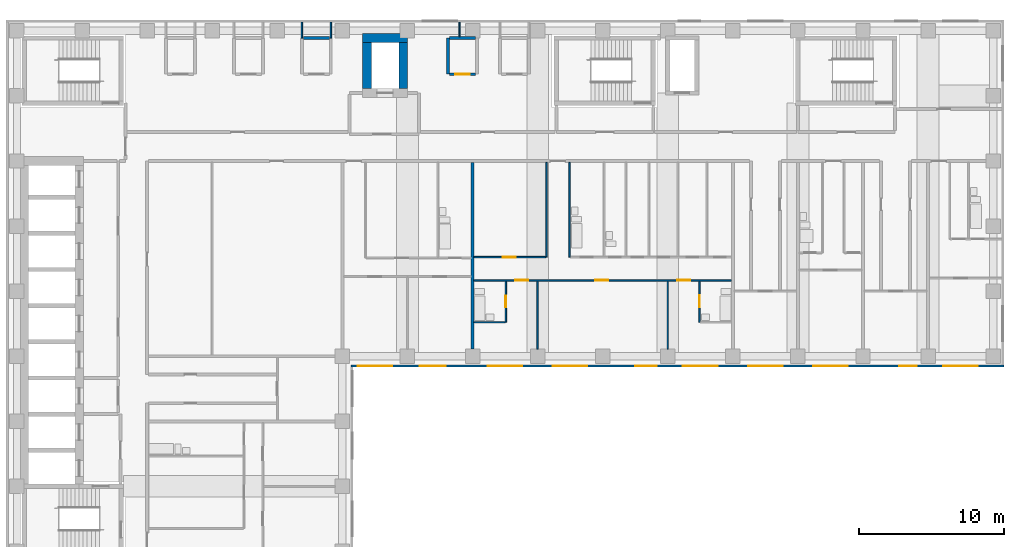
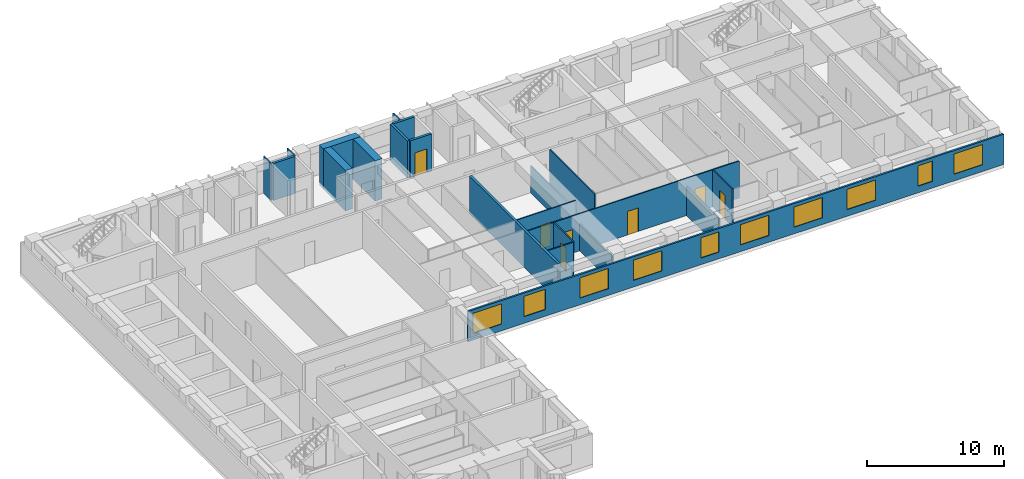
# One storey, part 6 of 12: 21 walls, 10 windows, 7 doors, 17 openings.
"""IFC4 building model written with IfcOpenShell, lengths in metres."""

from ifc_helpers import new_model, si_unit, direction, frame, frame_2d, origin, place, context, subcontext, project, spatial, rectangle, extrude, material, layer, layer_set, type_object, element, fill, save


model = new_model("IFC4")

# Units and contexts
model_context = context("Model", 3, precision=1e-05, world=origin(), true_north=direction((0.0, 1.0)))
body_context = subcontext(model_context, "Body", "Model", "MODEL_VIEW")
ifc_project = project(units=[si_unit("LENGTHUNIT", "METRE"), si_unit("AREAUNIT", "SQUARE_METRE"), si_unit("VOLUMEUNIT", "CUBIC_METRE"), si_unit("PLANEANGLEUNIT", "RADIAN"), si_unit("MASSUNIT", "GRAM", prefix="KILO")], contexts=[model_context])

# Site, building, storey
site_placement = place(None, origin())
site = spatial("IfcSite", under=ifc_project, at=site_placement, CompositionType="ELEMENT")
building_placement = place(site_placement, origin())
building = spatial("IfcBuilding", under=site, at=building_placement, Name="Firuza Court", CompositionType="ELEMENT")
storey_placement = place(building_placement, frame((0.0, 0.0, 126.800048828125)))
storey = spatial("IfcBuildingStorey", under=building, at=storey_placement, Name="L31", CompositionType="ELEMENT", Elevation=126.800048828125)

# Wall
ifc_material_1 = material(Name="Moisture-resistant gypsum board partition")
ifc_layer_1 = layer(ifc_material_1, 0.10009765625)
ifc_layer_set_1 = layer_set([ifc_layer_1], Name="Moisture-resistant gypsum board partition")
wall_type_1 = type_object("IfcWallType", Name="Bathroom partition 100", PredefinedType="PLUMBINGWALL", material=ifc_layer_set_1)
wall_1_placement = place(storey_placement, frame((31.60009765625, 38.35009765625, 0.0), z_axis=(0.0, 0.0, 1.0), x_axis=(1.0, 0.0, 0.0)))
element("IfcWall", 1, at=wall_1_placement, inside=storey, type_object=wall_type_1, Name="Bathroom partition 100 L31", PredefinedType="PLUMBINGWALL", context=body_context, shape_type="SweptSolid", body=[
    extrude(rectangle(XDim=2.14990234375, YDim=0.10009765625, at=frame_2d((1.074951171875, 0.0))), origin(), (0.0, 0.0, 1.0), 3.300048828125),
])

# Wall, opening, door
wall_2_placement = place(storey_placement, frame((33.800048828125, 38.35009765625, 0.0), z_axis=(0.0, 0.0, 1.0), x_axis=(0.0, 1.0, 0.0)))
wall_2 = element("IfcWall", 2, at=wall_2_placement, inside=storey, type_object=wall_type_1, Name="Bathroom partition 100 L31", PredefinedType="PLUMBINGWALL", context=body_context, shape_type="SweptSolid", body=[
    extrude(rectangle(XDim=2.849853515625, YDim=0.10009765625, at=frame_2d((1.4248046875, 0.0))), origin(), (0.0, 0.0, 1.0), 3.300048828125),
])
opening_1_placement = place(wall_2_placement, frame((1.050048828125, 0.0, 0.0)))
opening_1 = element("IfcOpeningElement", 3, at=opening_1_placement, cuts=wall_2, Name="Opening D31038", PredefinedType="OPENING", context=body_context, shape_type="SweptSolid", body=[
    extrude(rectangle(XDim=0.800048828125, YDim=2.10009765625, at=frame_2d((0.39990234375, 1.050048828125))), frame((0.0, 0.06201171875, 0.0), z_axis=(0.0, -1.0, 0.0), x_axis=(1.0, 0.0, 0.0)), (0.0, 0.0, 1.0), 0.1240234375),
])
ifc_material_2 = material(Name="Timber door leaf in hardwood frame", Category="wood")
door_type_1 = type_object("IfcDoorType", Name="Bathroom door 800", OperationType="SINGLE_SWING_LEFT", PredefinedType="DOOR", material=ifc_material_2)
door_1_placement = place(opening_1_placement, origin())
door_1 = element("IfcDoor", 4, at=door_1_placement, inside=storey, type_object=door_type_1, Name="En-suite door", OperationType="SINGLE_SWING_LEFT", OverallHeight=2.10009765625, OverallWidth=0.800048828125, PredefinedType="DOOR", context=body_context, shape_type="SweptSolid", body=[
    extrude(rectangle(XDim=0.800048828125, YDim=2.10009765625, at=frame_2d((0.39990234375, 1.050048828125))), frame((0.0, 0.02490234375, 0.0), z_axis=(0.0, -1.0, 0.0), x_axis=(1.0, 0.0, 0.0)), (0.0, 0.0, 1.0), 0.050048828125),
])
fill(opening_1, door_1)

wall_3_placement = place(storey_placement, frame((47.199951171875, 38.35009765625, 0.0), z_axis=(0.0, 0.0, 1.0), x_axis=(0.0, 1.0, 0.0)))
wall_3 = element("IfcWall", 5, at=wall_3_placement, inside=storey, type_object=wall_type_1, Name="Bathroom partition 100 L31", PredefinedType="PLUMBINGWALL", context=body_context, shape_type="SweptSolid", body=[
    extrude(rectangle(XDim=2.849853515625, YDim=0.10009765625, at=frame_2d((1.4248046875, 0.0))), origin(), (0.0, 0.0, 1.0), 3.300048828125),
])
opening_2_placement = place(wall_3_placement, frame((1.050048828125, 0.0, 0.0)))
opening_2 = element("IfcOpeningElement", 6, at=opening_2_placement, cuts=wall_3, Name="Opening D31039", PredefinedType="OPENING", context=body_context, shape_type="SweptSolid", body=[
    extrude(rectangle(XDim=0.800048828125, YDim=2.10009765625, at=frame_2d((0.39990234375, 1.050048828125))), frame((0.0, 0.06201171875, 0.0), z_axis=(0.0, -1.0, 0.0), x_axis=(1.0, 0.0, 0.0)), (0.0, 0.0, 1.0), 0.1240234375),
])
door_2_placement = place(opening_2_placement, frame((0.800048828125, 0.0, 0.0), z_axis=(0.0, 0.0, 1.0), x_axis=(-1.0, 0.0, 0.0)))
door_2 = element("IfcDoor", 7, at=door_2_placement, inside=storey, type_object=door_type_1, Name="En-suite door", OperationType="SINGLE_SWING_RIGHT", OverallHeight=2.10009765625, OverallWidth=0.800048828125, PredefinedType="DOOR", context=body_context, shape_type="SweptSolid", body=[
    extrude(rectangle(XDim=0.800048828125, YDim=2.10009765625, at=frame_2d((0.39990234375, 1.050048828125))), frame((0.0, 0.02490234375, 0.0), z_axis=(0.0, -1.0, 0.0), x_axis=(1.0, 0.0, 0.0)), (0.0, 0.0, 1.0), 0.050048828125),
])
fill(opening_2, door_2)

# Walls
wall_4_placement = place(storey_placement, frame((38.199951171875, 42.85009765625, 0.0), z_axis=(0.0, 0.0, 1.0), x_axis=(0.0, 1.0, 0.0)))
element("IfcWall", 8, at=wall_4_placement, inside=storey, type_object=wall_type_1, Name="Bathroom partition 100 L31", PredefinedType="PLUMBINGWALL", context=body_context, shape_type="SweptSolid", body=[
    extrude(rectangle(XDim=6.5498046875, YDim=0.10009765625, at=frame_2d((3.27490234375, 0.0))), origin(), (0.0, 0.0, 1.0), 3.300048828125),
])
ifc_material_3 = material(Name="Concrete C60/75", Category="concrete")
ifc_layer_2 = layer(ifc_material_3, 0.60009765625)
ifc_layer_set_2 = layer_set([ifc_layer_2], Name="Concrete C60/75")
wall_type_2 = type_object("IfcWallType", Name="Core wall 600 C60/75", PredefinedType="SHEAR", material=ifc_layer_set_2)
wall_5_placement = place(storey_placement, frame((23.89990234375, 58.0, -0.300048828125), z_axis=(0.0, 0.0, 1.0), x_axis=(1.0, 0.0, 0.0)))
element("IfcWall", 9, at=wall_5_placement, inside=storey, type_object=wall_type_2, Name="Core wall lift shaft L31", PredefinedType="SHEAR", context=body_context, shape_type="SweptSolid", body=[
    extrude(rectangle(XDim=3.10009765625, YDim=0.60009765625, at=frame_2d((1.550048828125, 0.0))), origin(), (0.0, 0.0, 1.0), 3.60009765625),
])
for number, where, z_axis, x_axis, name in (
    (10, (24.199951171875, 54.5, -0.300048828125), (0.0, 0.0, 1.0), (0.0, 1.0, 0.0), "Core wall lift shaft L31"),
    (11, (26.699951171875, 54.5, -0.300048828125), (0.0, 0.0, 1.0), (0.0, 1.0, 0.0), "Core wall lift shaft L31"),
):
    element("IfcWall", number, at=place(storey_placement, frame(where, z_axis=z_axis, x_axis=x_axis)), inside=storey, type_object=wall_type_2, Name=name, PredefinedType="SHEAR", context=body_context, shape_type="SweptSolid", body=[
        extrude(rectangle(XDim=3.199951171875, YDim=0.60009765625, at=frame_2d((1.60009765625, 0.0))), origin(), (0.0, 0.0, 1.0), 3.60009765625),
    ])
ifc_material_4 = material(Name="Timber stud partition, plasterboard both sides", Category="wood")
ifc_layer_3 = layer(ifc_material_4, 0.10009765625)
ifc_layer_set_3 = layer_set([ifc_layer_3], Name="Timber stud partition, plasterboard both sides")
wall_type_3 = type_object("IfcWallType", Name="Partition wall 100", PredefinedType="PARTITIONING", material=ifc_layer_set_3)
wall_6_placement = place(storey_placement, frame((36.0, 36.5, 0.0), z_axis=(0.0, 0.0, 1.0), x_axis=(0.0, 1.0, 0.0)))
element("IfcWall", 12, at=wall_6_placement, inside=storey, type_object=wall_type_3, Name="Partition wall 100 L31", PredefinedType="PARTITIONING", context=body_context, shape_type="SweptSolid", body=[
    extrude(rectangle(XDim=4.699951171875, YDim=0.10009765625, at=frame_2d((2.35009765625, 0.0))), origin(), (0.0, 0.0, 1.0), 2.39990234375),
])
wall_7_placement = place(storey_placement, frame((45.0, 36.5, 0.0), z_axis=(0.0, 0.0, 1.0), x_axis=(0.0, 1.0, 0.0)))
element("IfcWall", 13, at=wall_7_placement, inside=storey, type_object=wall_type_3, Name="Partition wall 100 L31", PredefinedType="PARTITIONING", context=body_context, shape_type="SweptSolid", body=[
    extrude(rectangle(XDim=4.699951171875, YDim=0.10009765625, at=frame_2d((2.35009765625, 0.0))), origin(), (0.0, 0.0, 1.0), 2.599853515625),
])

# Wall, openings, doors
wall_8_placement = place(storey_placement, frame((31.60009765625, 41.25, 0.0), z_axis=(0.0, 0.0, 1.0), x_axis=(1.0, 0.0, 0.0)))
wall_8 = element("IfcWall", 14, at=wall_8_placement, inside=storey, type_object=wall_type_3, Name="Partition wall 100 L31", PredefinedType="PARTITIONING", context=body_context, shape_type="SweptSolid", body=[
    extrude(rectangle(XDim=17.7998046875, YDim=0.10009765625, at=frame_2d((8.89990234375, 0.0))), origin(), (0.0, 0.0, 1.0), 3.300048828125),
])
opening_3_placement = place(wall_8_placement, frame((2.85009765625, 0.0, 0.0)))
opening_3 = element("IfcOpeningElement", 15, at=opening_3_placement, cuts=wall_8, Name="Opening D31046", PredefinedType="OPENING", context=body_context, shape_type="SweptSolid", body=[
    extrude(rectangle(XDim=0.89990234375, YDim=2.10009765625, at=frame_2d((0.449951171875, 1.050048828125))), frame((0.0, 0.06201171875, 0.0), z_axis=(0.0, -1.0, 0.0), x_axis=(1.0, 0.0, 0.0)), (0.0, 0.0, 1.0), 0.1240234375),
])
opening_4_placement = place(wall_8_placement, frame((8.39990234375, 0.0, 0.0)))
opening_4 = element("IfcOpeningElement", 16, at=opening_4_placement, cuts=wall_8, Name="Opening D31047", PredefinedType="OPENING", context=body_context, shape_type="SweptSolid", body=[
    extrude(rectangle(XDim=0.89990234375, YDim=2.10009765625, at=frame_2d((0.449951171875, 1.050048828125))), frame((0.0, 0.06201171875, 0.0), z_axis=(0.0, -1.0, 0.0), x_axis=(1.0, 0.0, 0.0)), (0.0, 0.0, 1.0), 0.1240234375),
])
opening_5_placement = place(wall_8_placement, frame((14.050048828125, 0.0, 0.0)))
opening_5 = element("IfcOpeningElement", 17, at=opening_5_placement, cuts=wall_8, Name="Opening D31048", PredefinedType="OPENING", context=body_context, shape_type="SweptSolid", body=[
    extrude(rectangle(XDim=0.89990234375, YDim=2.10009765625, at=frame_2d((0.449951171875, 1.050048828125))), frame((0.0, 0.06201171875, 0.0), z_axis=(0.0, -1.0, 0.0), x_axis=(1.0, 0.0, 0.0)), (0.0, 0.0, 1.0), 0.1240234375),
])
ifc_material_5 = material(Name="Timber door leaf in hardwood frame", Category="wood")
door_type_2 = type_object("IfcDoorType", Name="Room door 900", OperationType="SINGLE_SWING_LEFT", PredefinedType="DOOR", material=ifc_material_5)
door_3_placement = place(opening_3_placement, frame((0.89990234375, 0.0, 0.0), z_axis=(0.0, 0.0, 1.0), x_axis=(-1.0, 0.0, 0.0)))
door_3 = element("IfcDoor", 18, at=door_3_placement, inside=storey, type_object=door_type_2, Name="Bedroom door", OperationType="SINGLE_SWING_LEFT", OverallHeight=2.10009765625, OverallWidth=0.89990234375, PredefinedType="DOOR", context=body_context, shape_type="SweptSolid", body=[
    extrude(rectangle(XDim=0.89990234375, YDim=2.10009765625, at=frame_2d((0.449951171875, 1.050048828125))), frame((0.0, 0.02490234375, 0.0), z_axis=(0.0, -1.0, 0.0), x_axis=(1.0, 0.0, 0.0)), (0.0, 0.0, 1.0), 0.050048828125),
])
fill(opening_3, door_3)
door_4_placement = place(opening_4_placement, frame((0.89990234375, 0.0, 0.0), z_axis=(0.0, 0.0, 1.0), x_axis=(-1.0, 0.0, 0.0)))
door_4 = element("IfcDoor", 19, at=door_4_placement, inside=storey, type_object=door_type_2, Name="Living room door", OperationType="SINGLE_SWING_RIGHT", OverallHeight=2.10009765625, OverallWidth=0.89990234375, PredefinedType="DOOR", context=body_context, shape_type="SweptSolid", body=[
    extrude(rectangle(XDim=0.89990234375, YDim=2.10009765625, at=frame_2d((0.449951171875, 1.050048828125))), frame((0.0, 0.02490234375, 0.0), z_axis=(0.0, -1.0, 0.0), x_axis=(1.0, 0.0, 0.0)), (0.0, 0.0, 1.0), 0.050048828125),
])
fill(opening_4, door_4)
door_5_placement = place(opening_5_placement, frame((0.89990234375, 0.0, 0.0), z_axis=(0.0, 0.0, 1.0), x_axis=(-1.0, 0.0, 0.0)))
door_5 = element("IfcDoor", 20, at=door_5_placement, inside=storey, type_object=door_type_2, Name="Bedroom door", OperationType="SINGLE_SWING_RIGHT", OverallHeight=2.10009765625, OverallWidth=0.89990234375, PredefinedType="DOOR", context=body_context, shape_type="SweptSolid", body=[
    extrude(rectangle(XDim=0.89990234375, YDim=2.10009765625, at=frame_2d((0.449951171875, 1.050048828125))), frame((0.0, 0.02490234375, 0.0), z_axis=(0.0, -1.0, 0.0), x_axis=(1.0, 0.0, 0.0)), (0.0, 0.0, 1.0), 0.050048828125),
])
fill(opening_5, door_5)

# Wall, opening, door
wall_9_placement = place(storey_placement, frame((31.60009765625, 42.85009765625, 0.0), z_axis=(0.0, 0.0, 1.0), x_axis=(1.0, 0.0, 0.0)))
wall_9 = element("IfcWall", 21, at=wall_9_placement, inside=storey, type_object=wall_type_3, Name="Partition wall 100 L31", PredefinedType="PARTITIONING", context=body_context, shape_type="SweptSolid", body=[
    extrude(rectangle(XDim=4.949951171875, YDim=0.10009765625, at=frame_2d((2.47509765625, 0.0))), origin(), (0.0, 0.0, 1.0), 3.300048828125),
])
opening_6_placement = place(wall_9_placement, frame((2.0, 0.0, 0.0)))
opening_6 = element("IfcOpeningElement", 22, at=opening_6_placement, cuts=wall_9, Name="Opening D31055", PredefinedType="OPENING", context=body_context, shape_type="SweptSolid", body=[
    extrude(rectangle(XDim=0.89990234375, YDim=2.10009765625, at=frame_2d((0.449951171875, 1.050048828125))), frame((0.0, 0.06201171875, 0.0), z_axis=(0.0, -1.0, 0.0), x_axis=(1.0, 0.0, 0.0)), (0.0, 0.0, 1.0), 0.1240234375),
])
door_6_placement = place(opening_6_placement, origin())
door_6 = element("IfcDoor", 23, at=door_6_placement, inside=storey, type_object=door_type_2, Name="Kitchen door", OperationType="SINGLE_SWING_LEFT", OverallHeight=2.10009765625, OverallWidth=0.89990234375, PredefinedType="DOOR", context=body_context, shape_type="SweptSolid", body=[
    extrude(rectangle(XDim=0.89990234375, YDim=2.10009765625, at=frame_2d((0.449951171875, 1.050048828125))), frame((0.0, 0.02490234375, 0.0), z_axis=(0.0, -1.0, 0.0), x_axis=(1.0, 0.0, 0.0)), (0.0, 0.0, 1.0), 0.050048828125),
])
fill(opening_6, door_6)

# Walls
wall_10_placement = place(storey_placement, frame((36.60009765625, 42.85009765625, 0.0), z_axis=(0.0, 0.0, 1.0), x_axis=(0.0, 1.0, 0.0)))
element("IfcWall", 24, at=wall_10_placement, inside=storey, type_object=wall_type_3, Name="Partition wall 100 L31", PredefinedType="PARTITIONING", context=body_context, shape_type="SweptSolid", body=[
    extrude(rectangle(XDim=6.5498046875, YDim=0.10009765625, at=frame_2d((3.27490234375, 0.0))), origin(), (0.0, 0.0, 1.0), 2.39990234375),
])
for number, where, z_axis, x_axis, name in (
    (25, (19.699951171875, 58.0, 0.0), (0.0, 0.0, 1.0), (0.0, 1.0, 0.0), "Partition wall 100 L31"),
    (26, (21.699951171875, 58.0, 0.0), (0.0, 0.0, 1.0), (0.0, 1.0, 0.0), "Partition wall 100 L31"),
):
    element("IfcWall", number, at=place(storey_placement, frame(where, z_axis=z_axis, x_axis=x_axis)), inside=storey, type_object=wall_type_3, Name=name, PredefinedType="PARTITIONING", context=body_context, shape_type="SweptSolid", body=[
        extrude(rectangle(XDim=1.10009765625, YDim=0.10009765625, at=frame_2d((0.550048828125, 0.0))), origin(), (0.0, 0.0, 1.0), 3.300048828125),
    ])
wall_11_placement = place(storey_placement, frame((30.60009765625, 58.10009765625, 0.0), z_axis=(0.0, 0.0, 1.0), x_axis=(0.0, 1.0, 0.0)))
element("IfcWall", 27, at=wall_11_placement, inside=storey, type_object=wall_type_3, Name="Partition wall 100 L31", PredefinedType="PARTITIONING", context=body_context, shape_type="SweptSolid", body=[
    extrude(rectangle(XDim=1.0, YDim=0.10009765625, at=frame_2d((0.5, 0.0))), origin(), (0.0, 0.0, 1.0), 3.300048828125),
])
ifc_material_6 = material(Name="Blockwork, plastered both sides", Category="masonry")
ifc_layer_4 = layer(ifc_material_6, 0.199951171875)
ifc_layer_set_4 = layer_set([ifc_layer_4], Name="Blockwork, plastered both sides")
wall_type_4 = type_object("IfcWallType", Name="Party wall 200", PredefinedType="PARTITIONING", material=ifc_layer_set_4)
wall_12_placement = place(storey_placement, frame((31.5, 36.5, 0.0), z_axis=(0.0, 0.0, 1.0), x_axis=(0.0, 1.0, 0.0)))
element("IfcWall", 28, at=wall_12_placement, inside=storey, type_object=wall_type_4, Name="Party wall 200 L31", PredefinedType="PARTITIONING", context=body_context, shape_type="SweptSolid", body=[
    extrude(rectangle(XDim=12.89990234375, YDim=0.199951171875, at=frame_2d((6.449951171875, 0.0))), origin(), (0.0, 0.0, 1.0), 3.300048828125),
])
ifc_material_7 = material(Name="Blockwork, fire-rated", Category="masonry")
ifc_layer_5 = layer(ifc_material_7, 0.199951171875)
ifc_layer_set_5 = layer_set([ifc_layer_5], Name="Blockwork, fire-rated")
wall_type_5 = type_object("IfcWallType", Name="Plant room wall 200", PredefinedType="PARTITIONING", material=ifc_layer_set_5)
wall_13_placement = place(storey_placement, frame((29.800048828125, 55.5, 0.0), z_axis=(0.0, 0.0, 1.0), x_axis=(0.0, 1.0, 0.0)))
element("IfcWall", 29, at=wall_13_placement, inside=storey, type_object=wall_type_5, Name="Plant room wall 200 L31", PredefinedType="PARTITIONING", context=body_context, shape_type="SweptSolid", body=[
    extrude(rectangle(XDim=2.5, YDim=0.199951171875, at=frame_2d((1.25, 0.0))), origin(), (0.0, 0.0, 1.0), 3.300048828125),
])

# Wall, opening, door
wall_14_placement = place(storey_placement, frame((29.89990234375, 55.5, 0.0), z_axis=(0.0, 0.0, 1.0), x_axis=(1.0, 0.0, 0.0)))
wall_14 = element("IfcWall", 30, at=wall_14_placement, inside=storey, type_object=wall_type_5, Name="Plant room wall 200 L31", PredefinedType="PARTITIONING", context=body_context, shape_type="SweptSolid", body=[
    extrude(rectangle(XDim=1.800048828125, YDim=0.199951171875, at=frame_2d((0.89990234375, 0.0))), origin(), (0.0, 0.0, 1.0), 3.300048828125),
])
opening_7_placement = place(wall_14_placement, frame((0.39990234375, 0.0, 0.0)))
opening_7 = element("IfcOpeningElement", 31, at=opening_7_placement, cuts=wall_14, Name="Opening D31078", PredefinedType="OPENING", context=body_context, shape_type="SweptSolid", body=[
    extrude(rectangle(XDim=1.0, YDim=2.10009765625, at=frame_2d((0.5, 1.050048828125))), frame((0.0, 0.11181640625, 0.0), z_axis=(0.0, -1.0, 0.0), x_axis=(1.0, 0.0, 0.0)), (0.0, 0.0, 1.0), 0.223876953125),
])
ifc_material_8 = material(Name="Timber door leaf in hardwood frame", Category="wood")
door_type_3 = type_object("IfcDoorType", Name="Riser door 1000", OperationType="SINGLE_SWING_LEFT", PredefinedType="DOOR", material=ifc_material_8)
door_7_placement = place(opening_7_placement, origin())
door_7 = element("IfcDoor", 32, at=door_7_placement, inside=storey, type_object=door_type_3, Name="Electrical riser door", OperationType="SINGLE_SWING_LEFT", OverallHeight=2.10009765625, OverallWidth=1.0, PredefinedType="DOOR", context=body_context, shape_type="SweptSolid", body=[
    extrude(rectangle(XDim=1.0, YDim=2.10009765625, at=frame_2d((0.5, 1.050048828125))), frame((0.0, 0.02490234375, 0.0), z_axis=(0.0, -1.0, 0.0), x_axis=(1.0, 0.0, 0.0)), (0.0, 0.0, 1.0), 0.050048828125),
])
fill(opening_7, door_7)

# Walls
for number, where, z_axis, x_axis, name in (
    (33, (19.800048828125, 58.0, 0.0), (0.0, 0.0, 1.0), (1.0, 0.0, 0.0), "Plant room wall 200 L31"),
    (34, (29.89990234375, 58.0, 0.0), (0.0, 0.0, 1.0), (1.0, 0.0, 0.0), "Plant room wall 200 L31"),
):
    element("IfcWall", number, at=place(storey_placement, frame(where, z_axis=z_axis, x_axis=x_axis)), inside=storey, type_object=wall_type_5, Name=name, PredefinedType="PARTITIONING", context=body_context, shape_type="SweptSolid", body=[
        extrude(rectangle(XDim=1.800048828125, YDim=0.199951171875, at=frame_2d((0.89990234375, 0.0))), origin(), (0.0, 0.0, 1.0), 3.300048828125),
    ])

# Wall, openings, windows
ifc_material_9 = material(Name="Ceramic tile", Category="ceramic")
ifc_layer_6 = layer(ifc_material_9, 0.02001953125)
ifc_material_10 = material(Name="Mineral wool insulation", Category="insulation")
ifc_layer_7 = layer(ifc_material_10, 0.050048828125)
ifc_material_11 = material(Name="Concrete C40/50 precast", Category="concrete")
ifc_layer_8 = layer(ifc_material_11, 0.080078125)
ifc_layer_set_6 = layer_set([ifc_layer_6, ifc_layer_7, ifc_layer_8], Name="Concrete C40/50 precast")
wall_type_6 = type_object("IfcWallType", Name="Precast cladding wall with turquoise TILE PANEL face 150", PredefinedType="STANDARD", material=ifc_layer_set_6)
wall_15_placement = place(storey_placement, frame((23.10009765625, 35.324951171875, 0.0), z_axis=(0.0, 0.0, 1.0), x_axis=(1.0, 0.0, 0.0)))
wall_15 = element("IfcWall", 35, at=wall_15_placement, inside=storey, type_object=wall_type_6, Name="Facade wall L31 S", PredefinedType="STANDARD", context=body_context, shape_type="SweptSolid", body=[
    extrude(rectangle(XDim=45.14990234375, YDim=0.14990234375, at=frame_2d((22.574951171875, 0.0))), origin(), (0.0, 0.0, 1.0), 2.699951171875),
])
opening_8_placement = place(wall_15_placement, frame((0.449951171875, 0.0, 0.60009765625)))
opening_8 = element("IfcOpeningElement", 36, at=opening_8_placement, cuts=wall_15, Name="Opening W1", PredefinedType="OPENING", context=body_context, shape_type="SweptSolid", body=[
    extrude(rectangle(XDim=2.39990234375, YDim=1.800048828125, at=frame_2d((1.199951171875, 0.89990234375))), frame((0.0, 0.0869140625, 0.0), z_axis=(0.0, -1.0, 0.0), x_axis=(1.0, 0.0, 0.0)), (0.0, 0.0, 1.0), 0.173828125),
])
opening_9_placement = place(wall_15_placement, frame((4.743408203125, 0.0, 0.60009765625)))
opening_9 = element("IfcOpeningElement", 37, at=opening_9_placement, cuts=wall_15, Name="Opening W7", PredefinedType="OPENING", context=body_context, shape_type="SweptSolid", body=[
    extrude(rectangle(XDim=1.800048828125, YDim=1.800048828125, at=frame_2d((0.89990234375, 0.89990234375))), frame((0.0, 0.0869140625, 0.0), z_axis=(0.0, -1.0, 0.0), x_axis=(1.0, 0.0, 0.0)), (0.0, 0.0, 1.0), 0.173828125),
])
opening_10_placement = place(wall_15_placement, frame((9.449951171875, 0.0, 0.60009765625)))
opening_10 = element("IfcOpeningElement", 38, at=opening_10_placement, cuts=wall_15, Name="Opening W1", PredefinedType="OPENING", context=body_context, shape_type="SweptSolid", body=[
    extrude(rectangle(XDim=2.39990234375, YDim=1.800048828125, at=frame_2d((1.199951171875, 0.89990234375))), frame((0.0, 0.0869140625, 0.0), z_axis=(0.0, -1.0, 0.0), x_axis=(1.0, 0.0, 0.0)), (0.0, 0.0, 1.0), 0.173828125),
])
opening_11_placement = place(wall_15_placement, frame((13.949951171875, 0.0, 0.60009765625)))
opening_11 = element("IfcOpeningElement", 39, at=opening_11_placement, cuts=wall_15, Name="Opening W1", PredefinedType="OPENING", context=body_context, shape_type="SweptSolid", body=[
    extrude(rectangle(XDim=2.39990234375, YDim=1.800048828125, at=frame_2d((1.199951171875, 0.89990234375))), frame((0.0, 0.0869140625, 0.0), z_axis=(0.0, -1.0, 0.0), x_axis=(1.0, 0.0, 0.0)), (0.0, 0.0, 1.0), 0.173828125),
])
opening_12_placement = place(wall_15_placement, frame((19.646484375, 0.0, 0.60009765625)))
opening_12 = element("IfcOpeningElement", 40, at=opening_12_placement, cuts=wall_15, Name="Opening W2", PredefinedType="OPENING", context=body_context, shape_type="SweptSolid", body=[
    extrude(rectangle(XDim=1.5, YDim=1.800048828125, at=frame_2d((0.75, 0.89990234375))), frame((0.0, 0.0869140625, 0.0), z_axis=(0.0, -1.0, 0.0), x_axis=(1.0, 0.0, 0.0)), (0.0, 0.0, 1.0), 0.173828125),
])
opening_13_placement = place(wall_15_placement, frame((22.949951171875, 0.0, 0.60009765625)))
opening_13 = element("IfcOpeningElement", 41, at=opening_13_placement, cuts=wall_15, Name="Opening W1", PredefinedType="OPENING", context=body_context, shape_type="SweptSolid", body=[
    extrude(rectangle(XDim=2.39990234375, YDim=1.800048828125, at=frame_2d((1.199951171875, 0.89990234375))), frame((0.0, 0.0869140625, 0.0), z_axis=(0.0, -1.0, 0.0), x_axis=(1.0, 0.0, 0.0)), (0.0, 0.0, 1.0), 0.173828125),
])
opening_14_placement = place(wall_15_placement, frame((27.449951171875, 0.0, 0.60009765625)))
opening_14 = element("IfcOpeningElement", 42, at=opening_14_placement, cuts=wall_15, Name="Opening W1", PredefinedType="OPENING", context=body_context, shape_type="SweptSolid", body=[
    extrude(rectangle(XDim=2.39990234375, YDim=1.800048828125, at=frame_2d((1.199951171875, 0.89990234375))), frame((0.0, 0.0869140625, 0.0), z_axis=(0.0, -1.0, 0.0), x_axis=(1.0, 0.0, 0.0)), (0.0, 0.0, 1.0), 0.173828125),
])
opening_15_placement = place(wall_15_placement, frame((31.949951171875, 0.0, 0.60009765625)))
opening_15 = element("IfcOpeningElement", 43, at=opening_15_placement, cuts=wall_15, Name="Opening W1", PredefinedType="OPENING", context=body_context, shape_type="SweptSolid", body=[
    extrude(rectangle(XDim=2.39990234375, YDim=1.800048828125, at=frame_2d((1.199951171875, 0.89990234375))), frame((0.0, 0.0869140625, 0.0), z_axis=(0.0, -1.0, 0.0), x_axis=(1.0, 0.0, 0.0)), (0.0, 0.0, 1.0), 0.173828125),
])
opening_16_placement = place(wall_15_placement, frame((37.9111328125, 0.0, 0.60009765625)))
opening_16 = element("IfcOpeningElement", 44, at=opening_16_placement, cuts=wall_15, Name="Opening W8", PredefinedType="OPENING", context=body_context, shape_type="SweptSolid", body=[
    extrude(rectangle(XDim=1.199951171875, YDim=1.800048828125, at=frame_2d((0.60009765625, 0.89990234375))), frame((0.0, 0.0869140625, 0.0), z_axis=(0.0, -1.0, 0.0), x_axis=(1.0, 0.0, 0.0)), (0.0, 0.0, 1.0), 0.173828125),
])
opening_17_placement = place(wall_15_placement, frame((40.949951171875, 0.0, 0.60009765625)))
opening_17 = element("IfcOpeningElement", 45, at=opening_17_placement, cuts=wall_15, Name="Opening W1", PredefinedType="OPENING", context=body_context, shape_type="SweptSolid", body=[
    extrude(rectangle(XDim=2.39990234375, YDim=1.800048828125, at=frame_2d((1.199951171875, 0.89990234375))), frame((0.0, 0.0869140625, 0.0), z_axis=(0.0, -1.0, 0.0), x_axis=(1.0, 0.0, 0.0)), (0.0, 0.0, 1.0), 0.173828125),
])
ifc_material_12 = material(Name="Aluminium frame, triple clear glazing", Category="aluminium")
window_type_1 = type_object("IfcWindowType", Name="Window W1 2400 x 1800", PartitioningType="SINGLE_PANEL", PredefinedType="WINDOW", material=ifc_material_12)
window_1_placement = place(opening_8_placement, origin())
window_1 = element("IfcWindow", 46, at=window_1_placement, inside=storey, type_object=window_type_1, Name="Window L31", OverallHeight=1.800048828125, OverallWidth=2.39990234375, PartitioningType="SINGLE_PANEL", PredefinedType="WINDOW", context=body_context, shape_type="SweptSolid", body=[
    extrude(rectangle(XDim=2.39990234375, YDim=1.800048828125, at=frame_2d((1.199951171875, 0.89990234375))), frame((0.0, 0.030029296875, 0.0), z_axis=(0.0, -1.0, 0.0), x_axis=(1.0, 0.0, 0.0)), (0.0, 0.0, 1.0), 0.06005859375),
])
fill(opening_8, window_1)
window_2_placement = place(opening_10_placement, origin())
window_2 = element("IfcWindow", 47, at=window_2_placement, inside=storey, type_object=window_type_1, Name="Window L31", OverallHeight=1.800048828125, OverallWidth=2.39990234375, PartitioningType="SINGLE_PANEL", PredefinedType="WINDOW", context=body_context, shape_type="SweptSolid", body=[
    extrude(rectangle(XDim=2.39990234375, YDim=1.800048828125, at=frame_2d((1.199951171875, 0.89990234375))), frame((0.0, 0.030029296875, 0.0), z_axis=(0.0, -1.0, 0.0), x_axis=(1.0, 0.0, 0.0)), (0.0, 0.0, 1.0), 0.06005859375),
])
fill(opening_10, window_2)
window_3_placement = place(opening_11_placement, origin())
window_3 = element("IfcWindow", 48, at=window_3_placement, inside=storey, type_object=window_type_1, Name="Window L31", OverallHeight=1.800048828125, OverallWidth=2.39990234375, PartitioningType="SINGLE_PANEL", PredefinedType="WINDOW", context=body_context, shape_type="SweptSolid", body=[
    extrude(rectangle(XDim=2.39990234375, YDim=1.800048828125, at=frame_2d((1.199951171875, 0.89990234375))), frame((0.0, 0.030029296875, 0.0), z_axis=(0.0, -1.0, 0.0), x_axis=(1.0, 0.0, 0.0)), (0.0, 0.0, 1.0), 0.06005859375),
])
fill(opening_11, window_3)
window_4_placement = place(opening_13_placement, origin())
window_4 = element("IfcWindow", 49, at=window_4_placement, inside=storey, type_object=window_type_1, Name="Window L31", OverallHeight=1.800048828125, OverallWidth=2.39990234375, PartitioningType="SINGLE_PANEL", PredefinedType="WINDOW", context=body_context, shape_type="SweptSolid", body=[
    extrude(rectangle(XDim=2.39990234375, YDim=1.800048828125, at=frame_2d((1.199951171875, 0.89990234375))), frame((0.0, 0.030029296875, 0.0), z_axis=(0.0, -1.0, 0.0), x_axis=(1.0, 0.0, 0.0)), (0.0, 0.0, 1.0), 0.06005859375),
])
fill(opening_13, window_4)
window_5_placement = place(opening_14_placement, origin())
window_5 = element("IfcWindow", 50, at=window_5_placement, inside=storey, type_object=window_type_1, Name="Window L31", OverallHeight=1.800048828125, OverallWidth=2.39990234375, PartitioningType="SINGLE_PANEL", PredefinedType="WINDOW", context=body_context, shape_type="SweptSolid", body=[
    extrude(rectangle(XDim=2.39990234375, YDim=1.800048828125, at=frame_2d((1.199951171875, 0.89990234375))), frame((0.0, 0.030029296875, 0.0), z_axis=(0.0, -1.0, 0.0), x_axis=(1.0, 0.0, 0.0)), (0.0, 0.0, 1.0), 0.06005859375),
])
fill(opening_14, window_5)
window_6_placement = place(opening_15_placement, origin())
window_6 = element("IfcWindow", 51, at=window_6_placement, inside=storey, type_object=window_type_1, Name="Window L31", OverallHeight=1.800048828125, OverallWidth=2.39990234375, PartitioningType="SINGLE_PANEL", PredefinedType="WINDOW", context=body_context, shape_type="SweptSolid", body=[
    extrude(rectangle(XDim=2.39990234375, YDim=1.800048828125, at=frame_2d((1.199951171875, 0.89990234375))), frame((0.0, 0.030029296875, 0.0), z_axis=(0.0, -1.0, 0.0), x_axis=(1.0, 0.0, 0.0)), (0.0, 0.0, 1.0), 0.06005859375),
])
fill(opening_15, window_6)
window_7_placement = place(opening_17_placement, origin())
window_7 = element("IfcWindow", 52, at=window_7_placement, inside=storey, type_object=window_type_1, Name="Window L31", OverallHeight=1.800048828125, OverallWidth=2.39990234375, PartitioningType="SINGLE_PANEL", PredefinedType="WINDOW", context=body_context, shape_type="SweptSolid", body=[
    extrude(rectangle(XDim=2.39990234375, YDim=1.800048828125, at=frame_2d((1.199951171875, 0.89990234375))), frame((0.0, 0.030029296875, 0.0), z_axis=(0.0, -1.0, 0.0), x_axis=(1.0, 0.0, 0.0)), (0.0, 0.0, 1.0), 0.06005859375),
])
fill(opening_17, window_7)
ifc_material_13 = material(Name="Aluminium frame, triple clear glazing", Category="aluminium")
window_type_2 = type_object("IfcWindowType", Name="Window W2 1500 x 1800", PartitioningType="SINGLE_PANEL", PredefinedType="WINDOW", material=ifc_material_13)
window_8_placement = place(opening_12_placement, origin())
window_8 = element("IfcWindow", 53, at=window_8_placement, inside=storey, type_object=window_type_2, Name="Window L31", OverallHeight=1.800048828125, OverallWidth=1.5, PartitioningType="SINGLE_PANEL", PredefinedType="WINDOW", context=body_context, shape_type="SweptSolid", body=[
    extrude(rectangle(XDim=1.5, YDim=1.800048828125, at=frame_2d((0.75, 0.89990234375))), frame((0.0, 0.030029296875, 0.0), z_axis=(0.0, -1.0, 0.0), x_axis=(1.0, 0.0, 0.0)), (0.0, 0.0, 1.0), 0.06005859375),
])
fill(opening_12, window_8)
ifc_material_14 = material(Name="Aluminium frame, triple clear glazing", Category="aluminium")
window_type_3 = type_object("IfcWindowType", Name="Window W7 1800 x 1800", PartitioningType="SINGLE_PANEL", PredefinedType="WINDOW", material=ifc_material_14)
window_9_placement = place(opening_9_placement, origin())
window_9 = element("IfcWindow", 54, at=window_9_placement, inside=storey, type_object=window_type_3, Name="Window L31", OverallHeight=1.800048828125, OverallWidth=1.800048828125, PartitioningType="SINGLE_PANEL", PredefinedType="WINDOW", context=body_context, shape_type="SweptSolid", body=[
    extrude(rectangle(XDim=1.800048828125, YDim=1.800048828125, at=frame_2d((0.89990234375, 0.89990234375))), frame((0.0, 0.030029296875, 0.0), z_axis=(0.0, -1.0, 0.0), x_axis=(1.0, 0.0, 0.0)), (0.0, 0.0, 1.0), 0.06005859375),
])
fill(opening_9, window_9)
ifc_material_15 = material(Name="Aluminium frame, triple clear glazing", Category="aluminium")
window_type_4 = type_object("IfcWindowType", Name="Window W8 1200 x 1800", PartitioningType="SINGLE_PANEL", PredefinedType="WINDOW", material=ifc_material_15)
window_10_placement = place(opening_16_placement, origin())
window_10 = element("IfcWindow", 55, at=window_10_placement, inside=storey, type_object=window_type_4, Name="Window L31", OverallHeight=1.800048828125, OverallWidth=1.199951171875, PartitioningType="SINGLE_PANEL", PredefinedType="WINDOW", context=body_context, shape_type="SweptSolid", body=[
    extrude(rectangle(XDim=1.199951171875, YDim=1.800048828125, at=frame_2d((0.60009765625, 0.89990234375))), frame((0.0, 0.030029296875, 0.0), z_axis=(0.0, -1.0, 0.0), x_axis=(1.0, 0.0, 0.0)), (0.0, 0.0, 1.0), 0.06005859375),
])
fill(opening_16, window_10)

save(model, "model.ifc")
